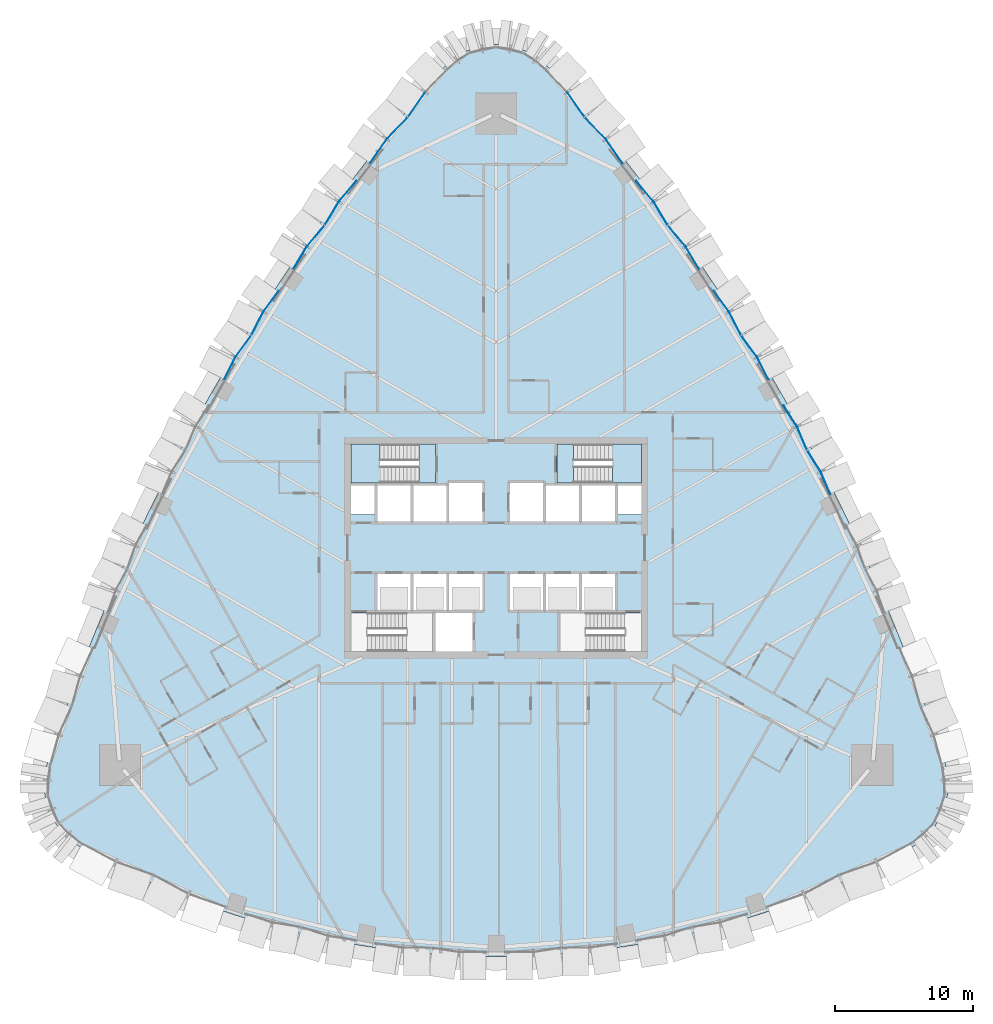
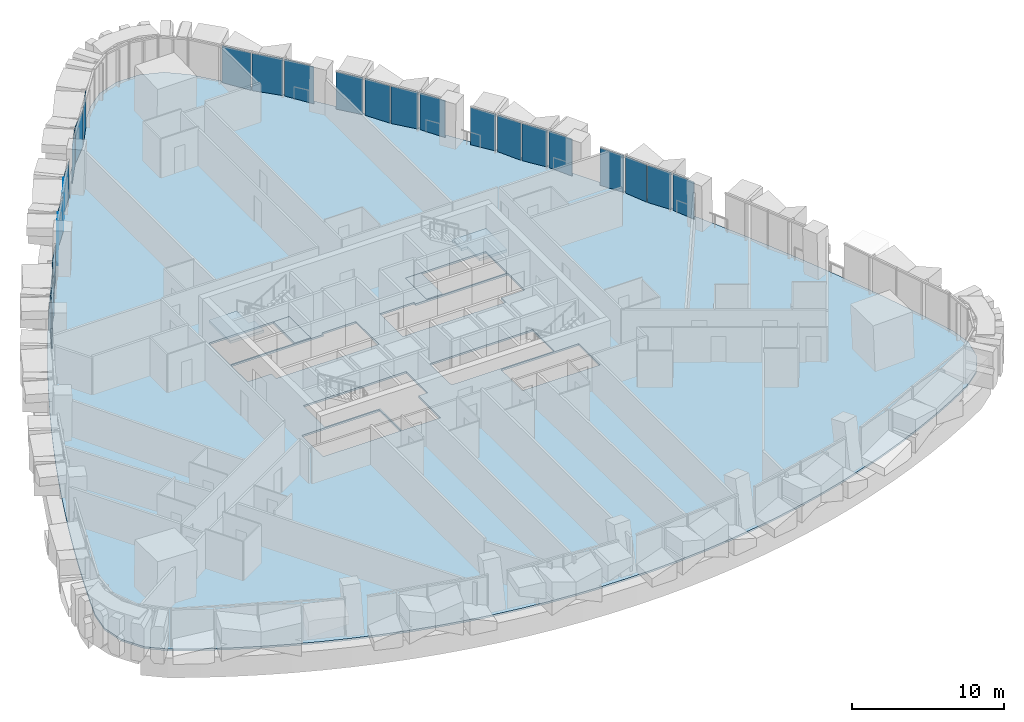
# One storey, part 12 of 27: 26 plates, 5 slabs, 9 elements without a shape of their own.
"""IFC4 building model written with IfcOpenShell, lengths in metres."""

from ifc_helpers import new_model, si_unit, direction, frame, origin, place, context, subcontext, project, spatial, polyline, outline, extrude, material, layer, layer_set, type_object, element, aggregate, save


model = new_model("IFC4")

# Units and contexts
model_context = context("Model", 3, precision=1e-05, world=origin(), true_north=direction((0.0, 1.0)))
body_context = subcontext(model_context, "Body", "Model", "MODEL_VIEW")
ifc_project = project(units=[si_unit("LENGTHUNIT", "METRE"), si_unit("AREAUNIT", "SQUARE_METRE"), si_unit("VOLUMEUNIT", "CUBIC_METRE"), si_unit("PLANEANGLEUNIT", "RADIAN"), si_unit("MASSUNIT", "GRAM", prefix="KILO")], contexts=[model_context])

# Site, building, storey
site_placement = place(None, origin())
site = spatial("IfcSite", under=ifc_project, at=site_placement, CompositionType="ELEMENT")
building_placement = place(site_placement, origin())
building = spatial("IfcBuilding", under=site, at=building_placement, Name="Sierra Prisma Convention Tower", CompositionType="ELEMENT")
storey_placement = place(building_placement, frame((0.0, 0.0, 48.0)))
storey = spatial("IfcBuildingStorey", under=building, at=storey_placement, Name="L07", CompositionType="ELEMENT", Elevation=48.0)

# Curtain wall, plates
ifc_material_1 = material(Name="Aluminium and glass curtain wall", Category="aluminium")
ifc_layer_1 = layer(ifc_material_1, 0.179931640625)
ifc_layer_set_1 = layer_set([ifc_layer_1], Name="CW-2 Faceted crystal curtain wall")
curtain_wall_type = type_object("IfcCurtainWallType", Name="CW-2 Faceted crystal curtain wall", PredefinedType="NOTDEFINED", material=ifc_layer_set_1)
curtain_wall_1_placement = place(storey_placement, origin())
curtain_wall_1 = element("IfcCurtainWall", 1, at=curtain_wall_1_placement, inside=storey, type_object=curtain_wall_type, Name="CW-2 NE3 L07", PredefinedType="NOTDEFINED")
ifc_material_2 = material(Name="Tinted glass bronze-grey IGU", Category="glass")
ifc_layer_2 = layer(ifc_material_2, 0.028076171875)
ifc_layer_set_2 = layer_set([ifc_layer_2], Name="CW-2 crystal pane")
plate_type = type_object("IfcPlateType", Name="CW-2 crystal pane", PredefinedType="CURTAIN_PANEL", material=ifc_layer_set_2)
plate_1_placement = place(storey_placement, frame((24.2080078125, 3.84521484375, 0.0), z_axis=(0.9188702886, 0.394559745447, 0.0), x_axis=(-0.394559745447, 0.9188702886, 0.0)))
plate_1 = element("IfcPlate", 2, at=plate_1_placement, type_object=plate_type, Name="CW-2 pane NE3.1.1", PredefinedType="CURTAIN_PANEL", context=body_context, shape_type="SweptSolid", body=[
    extrude(outline(polyline([(0.0, 0.0), (1.7480173119117628, 0.0), (1.7480173119117628, 2.97998046875), (0.0, 2.97998046875), (0.0, 0.0)])), origin(), (0.0, 0.0, -1.0), 0.028076171875),
])
plate_2_placement = place(storey_placement, frame((22.525390625, 7.044921875, 0.0), z_axis=(0.845833831015, 0.533446464335, 0.0), x_axis=(0.533446464335, -0.845833831015, 0.0)))
plate_2 = element("IfcPlate", 3, at=plate_2_placement, type_object=plate_type, Name="CW-2 pane NE3.1.2", PredefinedType="CURTAIN_PANEL", context=body_context, shape_type="SweptSolid", body=[
    extrude(outline(polyline([(0.0, 0.0), (1.7482863789584688, 0.0), (1.7482863789584688, -2.97998046875), (0.0, -2.97998046875), (0.0, 0.0)])), origin(), (0.0, 0.0, -1.0), 0.028076171875),
])
plate_3_placement = place(storey_placement, frame((22.492919921875, 7.10693359375, 0.0), z_axis=(0.9188702886, 0.394559745447, 0.0), x_axis=(-0.394559745447, 0.9188702886, 0.0)))
plate_3 = element("IfcPlate", 4, at=plate_3_placement, type_object=plate_type, Name="CW-2 pane NE3.2.1", PredefinedType="CURTAIN_PANEL", context=body_context, shape_type="SweptSolid", body=[
    extrude(outline(polyline([(0.0, 0.0), (1.7480173119117628, 0.0), (1.7480173119117628, 2.97998046875), (0.0, 2.97998046875), (0.0, 0.0)])), origin(), (0.0, 0.0, -1.0), 0.028076171875),
])
plate_4_placement = place(storey_placement, frame((20.810302734375, 10.306640625, 0.0), z_axis=(0.845833831015, 0.533446464335, 0.0), x_axis=(0.533446464335, -0.845833831015, 0.0)))
plate_4 = element("IfcPlate", 5, at=plate_4_placement, type_object=plate_type, Name="CW-2 pane NE3.2.2", PredefinedType="CURTAIN_PANEL", context=body_context, shape_type="SweptSolid", body=[
    extrude(outline(polyline([(0.0, 0.0), (1.7482863789584688, 0.0), (1.7482863789584688, -2.97998046875), (0.0, -2.97998046875), (0.0, 0.0)])), origin(), (0.0, 0.0, -1.0), 0.028076171875),
])
aggregate(curtain_wall_1, [plate_1, plate_2, plate_3, plate_4])

curtain_wall_2_placement = place(storey_placement, origin())
curtain_wall_2 = element("IfcCurtainWall", 6, at=curtain_wall_2_placement, inside=storey, type_object=curtain_wall_type, Name="CW-2 NE4 L07", PredefinedType="NOTDEFINED")
plate_5_placement = place(storey_placement, frame((19.741455078125, 12.12939453125, 0.0), z_axis=(0.890079099135, 0.455806096146, 0.0), x_axis=(-0.455806096146, 0.890079099135, 0.0)))
plate_5 = element("IfcPlate", 7, at=plate_5_placement, type_object=plate_type, Name="CW-2 pane NE4.1.1", PredefinedType="CURTAIN_PANEL", context=body_context, shape_type="SweptSolid", body=[
    extrude(outline(polyline([(0.0, 0.0), (1.825406147560032, 0.0), (1.825406147560032, 2.97998046875), (0.0, 2.97998046875), (0.0, 0.0)])), origin(), (0.0, 0.0, -1.0), 0.028076171875),
])
plate_6_placement = place(storey_placement, frame((17.765625, 15.339111328125, 0.0), z_axis=(0.807827092241, 0.58941953568, 0.0), x_axis=(0.58941953568, -0.807827092241, 0.0)))
plate_6 = element("IfcPlate", 8, at=plate_6_placement, type_object=plate_type, Name="CW-2 pane NE4.1.2", PredefinedType="CURTAIN_PANEL", context=body_context, shape_type="SweptSolid", body=[
    extrude(outline(polyline([(0.0, 0.0), (1.8254022292183198, 0.0), (1.8254022292183198, -2.97998046875), (0.0, -2.97998046875), (0.0, 0.0)])), origin(), (0.0, 0.0, -1.0), 0.028076171875),
])
plate_7_placement = place(storey_placement, frame((17.728759765625, 15.398681640625, 0.0), z_axis=(0.89013335732, 0.455700127481, 0.0), x_axis=(-0.455700127481, 0.89013335732, 0.0)))
plate_7 = element("IfcPlate", 9, at=plate_7_placement, type_object=plate_type, Name="CW-2 pane NE4.2.1", PredefinedType="CURTAIN_PANEL", context=body_context, shape_type="SweptSolid", body=[
    extrude(outline(polyline([(0.0, 0.0), (1.8252948797100739, 0.0), (1.8252948797100739, 2.97998046875), (0.0, 2.97998046875), (0.0, 0.0)])), origin(), (0.0, 0.0, -1.0), 0.028076171875),
])
plate_8_placement = place(storey_placement, frame((15.7529296875, 18.6083984375, 0.0), z_axis=(0.807827092241, 0.58941953568, 0.0), x_axis=(0.58941953568, -0.807827092241, 0.0)))
plate_8 = element("IfcPlate", 10, at=plate_8_placement, type_object=plate_type, Name="CW-2 pane NE4.2.2", PredefinedType="CURTAIN_PANEL", context=body_context, shape_type="SweptSolid", body=[
    extrude(outline(polyline([(0.0, 0.0), (1.8254022292183198, 0.0), (1.8254022292183198, -2.97998046875), (0.0, -2.97998046875), (0.0, 0.0)])), origin(), (0.0, 0.0, -1.0), 0.028076171875),
])
aggregate(curtain_wall_2, [plate_5, plate_6, plate_7, plate_8])

curtain_wall_3_placement = place(storey_placement, origin())
curtain_wall_3 = element("IfcCurtainWall", 11, at=curtain_wall_3_placement, inside=storey, type_object=curtain_wall_type, Name="CW-2 NE5 L07", PredefinedType="NOTDEFINED")
plate_9_placement = place(storey_placement, frame((14.72216796875, 20.132080078125, 0.0), z_axis=(0.857208448741, 0.514969586875, 0.0), x_axis=(-0.514969586875, 0.857208448741, 0.0)))
plate_9 = element("IfcPlate", 12, at=plate_9_placement, type_object=plate_type, Name="CW-2 pane NE5.1.1", PredefinedType="CURTAIN_PANEL", context=body_context, shape_type="SweptSolid", body=[
    extrude(outline(polyline([(0.0, 0.0), (1.8939794149649742, 0.0), (1.8939794149649742, 2.97998046875), (0.0, 2.97998046875), (0.0, 0.0)])), origin(), (0.0, 0.0, -1.0), 0.028076171875),
])
plate_10_placement = place(storey_placement, frame((12.454345703125, 23.312255859375, 0.0), z_axis=(0.766146503112, 0.64266595971, 0.0), x_axis=(0.64266595971, -0.766146503112, 0.0)))
plate_10 = element("IfcPlate", 13, at=plate_10_placement, type_object=plate_type, Name="CW-2 pane NE5.1.2", PredefinedType="CURTAIN_PANEL", context=body_context, shape_type="SweptSolid", body=[
    extrude(outline(polyline([(0.0, 0.0), (1.894117990627195, 0.0), (1.894117990627195, -2.97998046875), (0.0, -2.97998046875), (0.0, 0.0)])), origin(), (0.0, 0.0, -1.0), 0.028076171875),
])
plate_11_placement = place(storey_placement, frame((12.41357421875, 23.369140625, 0.0), z_axis=(0.857208448741, 0.514969586875, 0.0), x_axis=(-0.514969586875, 0.857208448741, 0.0)))
plate_11 = element("IfcPlate", 14, at=plate_11_placement, type_object=plate_type, Name="CW-2 pane NE5.2.1", PredefinedType="CURTAIN_PANEL", context=body_context, shape_type="SweptSolid", body=[
    extrude(outline(polyline([(0.0, 0.0), (1.8939794149649742, 0.0), (1.8939794149649742, 2.97998046875), (0.0, 2.97998046875), (0.0, 0.0)])), origin(), (0.0, 0.0, -1.0), 0.028076171875),
])
plate_12_placement = place(storey_placement, frame((10.145751953125, 26.54931640625, 0.0), z_axis=(0.766146503112, 0.64266595971, 0.0), x_axis=(0.64266595971, -0.766146503112, 0.0)))
plate_12 = element("IfcPlate", 15, at=plate_12_placement, type_object=plate_type, Name="CW-2 pane NE5.2.2", PredefinedType="CURTAIN_PANEL", context=body_context, shape_type="SweptSolid", body=[
    extrude(outline(polyline([(0.0, 0.0), (1.894117990627195, 0.0), (1.894117990627195, -2.97998046875), (0.0, -2.97998046875), (0.0, 0.0)])), origin(), (0.0, 0.0, -1.0), 0.028076171875),
])
aggregate(curtain_wall_3, [plate_9, plate_10, plate_11, plate_12])

curtain_wall_4_placement = place(storey_placement, origin())
curtain_wall_4 = element("IfcCurtainWall", 16, at=curtain_wall_4_placement, inside=storey, type_object=curtain_wall_type, Name="CW-2 NE6 L07", PredefinedType="NOTDEFINED")
plate_13_placement = place(storey_placement, frame((9.183349609375, 27.793701171875, 0.0), z_axis=(0.82039816677, 0.571792661688, 0.0), x_axis=(-0.571792661688, 0.82039816677, 0.0)))
plate_13 = element("IfcPlate", 17, at=plate_13_placement, type_object=plate_type, Name="CW-2 pane NE6.1.1", PredefinedType="CURTAIN_PANEL", context=body_context, shape_type="SweptSolid", body=[
    extrude(outline(polyline([(0.0, 0.0), (2.1113866467971363, 0.0), (2.1113866467971363, 2.97998046875), (0.0, 2.97998046875), (0.0, 0.0)])), origin(), (0.0, 0.0, -1.0), 0.028076171875),
])
plate_14_placement = place(storey_placement, frame((6.4306640625, 31.148193359375, 0.0), z_axis=(0.720901936744, 0.693037082413, 0.0), x_axis=(0.693037082413, -0.720901936744, 0.0)))
plate_14 = element("IfcPlate", 18, at=plate_14_placement, type_object=plate_type, Name="CW-2 pane NE6.1.2", PredefinedType="CURTAIN_PANEL", context=body_context, shape_type="SweptSolid", body=[
    extrude(outline(polyline([(0.0, 0.0), (2.1115448846628464, 0.0), (2.1115448846628464, -2.97998046875), (0.0, -2.97998046875), (0.0, 0.0)])), origin(), (0.0, 0.0, -1.0), 0.028076171875),
])
plate_15_placement = place(storey_placement, frame((6.38623046875, 31.2021484375, 0.0), z_axis=(0.820452408645, 0.571714828519, 0.0), x_axis=(-0.571714828519, 0.820452408645, 0.0)))
plate_15 = element("IfcPlate", 19, at=plate_15_placement, type_object=plate_type, Name="CW-2 pane NE6.2.1", PredefinedType="CURTAIN_PANEL", context=body_context, shape_type="SweptSolid", body=[
    extrude(outline(polyline([(0.0, 0.0), (2.1112470584801466, 0.0), (2.1112470584801466, 2.9799804687500004), (0.0, 2.9799804687500004), (0.0, 0.0)])), origin(), (0.0, 0.0, -1.0), 0.028076171875),
])
aggregate(curtain_wall_4, [plate_13, plate_14, plate_15])

curtain_wall_5_placement = place(storey_placement, origin())
curtain_wall_5 = element("IfcCurtainWall", 20, at=curtain_wall_5_placement, inside=storey, type_object=curtain_wall_type, Name="CW-2 NW1 L07", PredefinedType="NOTDEFINED")
plate_16_placement = place(storey_placement, frame((-6.381103515625, 31.20849609375, 0.0), z_axis=(-0.820411342333, 0.571773757155, 0.0), x_axis=(0.571773757155, 0.820411342333, 0.0)))
plate_16 = element("IfcPlate", 21, at=plate_16_placement, type_object=plate_type, Name="CW-2 pane NW1.1.2", PredefinedType="CURTAIN_PANEL", context=body_context, shape_type="SweptSolid", body=[
    extrude(outline(polyline([(0.0, 0.0), (2.107186573882043, 0.0), (2.107186573882043, -2.97998046875), (0.0, -2.97998046875), (0.0, 0.0)])), origin(), (0.0, 0.0, -1.0), 0.028076171875),
])
plate_17_placement = place(storey_placement, frame((-6.425537109375, 31.154296875, 0.0), z_axis=(-0.720873137822, 0.693067038003, 0.0), x_axis=(-0.693067038003, -0.720873137822, 0.0)))
plate_17 = element("IfcPlate", 22, at=plate_17_placement, type_object=plate_type, Name="CW-2 pane NW1.2.1", PredefinedType="CURTAIN_PANEL", context=body_context, shape_type="SweptSolid", body=[
    extrude(outline(polyline([(0.0, 0.0), (2.107226485562551, 0.0), (2.107226485562551, 2.97998046875), (0.0, 2.97998046875), (0.0, 0.0)])), origin(), (0.0, 0.0, -1.0), 0.028076171875),
])
plate_18_placement = place(storey_placement, frame((-9.1728515625, 27.806396484375, 0.0), z_axis=(-0.820465691399, 0.571695766327, 0.0), x_axis=(0.571695766327, 0.820465691399, 0.0)))
plate_18 = element("IfcPlate", 23, at=plate_18_placement, type_object=plate_type, Name="CW-2 pane NW1.2.2", PredefinedType="CURTAIN_PANEL", context=body_context, shape_type="SweptSolid", body=[
    extrude(outline(polyline([(0.0, 0.0), (2.1070469901996622, 0.0), (2.1070469901996622, -2.97998046875), (0.0, -2.97998046875), (0.0, 0.0)])), origin(), (0.0, 0.0, -1.0), 0.028076171875),
])
aggregate(curtain_wall_5, [plate_16, plate_17, plate_18])

curtain_wall_6_placement = place(storey_placement, origin())
curtain_wall_6 = element("IfcCurtainWall", 24, at=curtain_wall_6_placement, inside=storey, type_object=curtain_wall_type, Name="CW-2 NW2 L07", PredefinedType="NOTDEFINED")
plate_19_placement = place(storey_placement, frame((-10.145751953125, 26.54931640625, 0.0), z_axis=(-0.766119695886, 0.642697916269, 0.0), x_axis=(-0.642697916269, -0.766119695886, 0.0)))
plate_19 = element("IfcPlate", 25, at=plate_19_placement, type_object=plate_type, Name="CW-2 pane NW2.1.1", PredefinedType="CURTAIN_PANEL", context=body_context, shape_type="SweptSolid", body=[
    extrude(outline(polyline([(0.0, 0.0), (1.8890855211948696, 0.0), (1.8890855211948696, 2.97998046875), (0.0, 2.97998046875), (0.0, 0.0)])), origin(), (0.0, 0.0, -1.0), 0.028076171875),
])
plate_20_placement = place(storey_placement, frame((-12.407958984375, 23.377197265625, 0.0), z_axis=(-0.857196309777, 0.514989792622, 0.0), x_axis=(0.514989792622, 0.857196309777, 0.0)))
plate_20 = element("IfcPlate", 26, at=plate_20_placement, type_object=plate_type, Name="CW-2 pane NW2.1.2", PredefinedType="CURTAIN_PANEL", context=body_context, shape_type="SweptSolid", body=[
    extrude(outline(polyline([(0.0, 0.0), (1.8891644156125253, 0.0), (1.8891644156125253, -2.97998046875), (0.0, -2.97998046875), (0.0, 0.0)])), origin(), (0.0, 0.0, -1.0), 0.028076171875),
])
plate_21_placement = place(storey_placement, frame((-12.448486328125, 23.3203125, 0.0), z_axis=(-0.766119695886, 0.642697916269, 0.0), x_axis=(-0.642697916269, -0.766119695886, 0.0)))
plate_21 = element("IfcPlate", 27, at=plate_21_placement, type_object=plate_type, Name="CW-2 pane NW2.2.1", PredefinedType="CURTAIN_PANEL", context=body_context, shape_type="SweptSolid", body=[
    extrude(outline(polyline([(0.0, 0.0), (1.8890855211948696, 0.0), (1.8890855211948696, 2.97998046875), (0.0, 2.97998046875), (0.0, 0.0)])), origin(), (0.0, 0.0, -1.0), 0.028076171875),
])
plate_22_placement = place(storey_placement, frame((-14.710693359375, 20.148193359375, 0.0), z_axis=(-0.857196309777, 0.514989792622, 0.0), x_axis=(0.514989792622, 0.857196309777, 0.0)))
plate_22 = element("IfcPlate", 28, at=plate_22_placement, type_object=plate_type, Name="CW-2 pane NW2.2.2", PredefinedType="CURTAIN_PANEL", context=body_context, shape_type="SweptSolid", body=[
    extrude(outline(polyline([(0.0, 0.0), (1.8891644156125253, 0.0), (1.8891644156125253, -2.97998046875), (0.0, -2.97998046875), (0.0, 0.0)])), origin(), (0.0, 0.0, -1.0), 0.028076171875),
])
aggregate(curtain_wall_6, [plate_19, plate_20, plate_21, plate_22])

curtain_wall_7_placement = place(storey_placement, origin())
curtain_wall_7 = element("IfcCurtainWall", 29, at=curtain_wall_7_placement, inside=storey, type_object=curtain_wall_type, Name="CW-2 NW3 L07", PredefinedType="NOTDEFINED")
plate_23_placement = place(storey_placement, frame((-15.7529296875, 18.6083984375, 0.0), z_axis=(-0.807813374913, 0.589438335462, 0.0), x_axis=(-0.589438335462, -0.807813374913, 0.0)))
plate_23 = element("IfcPlate", 30, at=plate_23_placement, type_object=plate_type, Name="CW-2 pane NW3.1.1", PredefinedType="CURTAIN_PANEL", context=body_context, shape_type="SweptSolid", body=[
    extrude(outline(polyline([(0.0, 0.0), (1.8212020894165337, 0.0), (1.8212020894165337, 2.97998046875), (0.0, 2.97998046875), (0.0, 0.0)])), origin(), (0.0, 0.0, -1.0), 0.028076171875),
])
plate_24_placement = place(storey_placement, frame((-17.724609375, 15.40576171875, 0.0), z_axis=(-0.890096423183, 0.455772264883, 0.0), x_axis=(0.455772264883, 0.890096423183, 0.0)))
plate_24 = element("IfcPlate", 31, at=plate_24_placement, type_object=plate_type, Name="CW-2 pane NW3.1.2", PredefinedType="CURTAIN_PANEL", context=body_context, shape_type="SweptSolid", body=[
    extrude(outline(polyline([(0.0, 0.0), (1.8212563355806284, 0.0), (1.8212563355806284, -2.97998046875), (0.0, -2.97998046875), (0.0, 0.0)])), origin(), (0.0, 0.0, -1.0), 0.028076171875),
])
plate_25_placement = place(storey_placement, frame((-17.76123046875, 15.34619140625, 0.0), z_axis=(-0.807859942971, 0.589374509581, 0.0), x_axis=(-0.589374509581, -0.807859942971, 0.0)))
plate_25 = element("IfcPlate", 32, at=plate_25_placement, type_object=plate_type, Name="CW-2 pane NW3.2.1", PredefinedType="CURTAIN_PANEL", context=body_context, shape_type="SweptSolid", body=[
    extrude(outline(polyline([(0.0, 0.0), (1.8213993151636536, 0.0), (1.8213993151636536, 2.97998046875), (0.0, 2.97998046875), (0.0, 0.0)])), origin(), (0.0, 0.0, -1.0), 0.028076171875),
])
plate_26_placement = place(storey_placement, frame((-19.73291015625, 12.143310546875, 0.0), z_axis=(-0.890096423183, 0.455772264883, 0.0), x_axis=(0.455772264883, 0.890096423183, 0.0)))
plate_26 = element("IfcPlate", 33, at=plate_26_placement, type_object=plate_type, Name="CW-2 pane NW3.2.2", PredefinedType="CURTAIN_PANEL", context=body_context, shape_type="SweptSolid", body=[
    extrude(outline(polyline([(0.0, 0.0), (1.8212563355806284, 0.0), (1.8212563355806284, -2.97998046875), (0.0, -2.97998046875), (0.0, 0.0)])), origin(), (0.0, 0.0, -1.0), 0.028076171875),
])
aggregate(curtain_wall_7, [plate_23, plate_24, plate_25, plate_26])

# Slab
ifc_material_3 = material(Name="Concrete C35/45", Category="concrete")
ifc_layer_3 = layer(ifc_material_3, 0.14990234375)
ifc_layer_set_3 = layer_set([ifc_layer_3], Name="Composite floor slab 150")
slab_type_1 = type_object("IfcSlabType", Name="Composite floor slab 150", PredefinedType="FLOOR", material=ifc_layer_set_3)
slab_1_placement = place(storey_placement, frame((0.0, 0.0, -0.14990234375)))
element("IfcSlab", 34, at=slab_1_placement, inside=storey, type_object=slab_type_1, Name="Floor slab L07 floor", PredefinedType="FLOOR", context=body_context, shape_type="SweptSolid", body=[
    extrude(outline(polyline([(-30.2197265625, -21.586181640625), (-28.48681640625, -22.5341796875), (-26.72412109375, -23.426025390625), (-24.93359375, -24.26025390625), (-23.116943359375, -25.036376953125), (-21.2763671875, -25.75341796875), (-19.413330078125, -26.41064453125), (-17.5302734375, -27.00732421875), (-15.62890625, -27.54296875), (-13.7109375, -28.016845703125), (-11.779052734375, -28.428466796875), (-9.834716796875, -28.777587890625), (-7.880126953125, -29.063720703125), (-5.917236328125, -29.28662109375), (-3.9482421875, -29.44580078125), (-1.97509765625, -29.54150390625), (0.0, -29.573486328125), (1.97509765625, -29.54150390625), (3.9482421875, -29.44580078125), (5.917236328125, -29.28662109375), (7.880126953125, -29.063720703125), (9.834716796875, -28.777587890625), (11.779052734375, -28.428466796875), (13.7109375, -28.016845703125), (15.62890625, -27.54296875), (17.5302734375, -27.00732421875), (19.413330078125, -26.41064453125), (21.2763671875, -25.75341796875), (23.116943359375, -25.036376953125), (24.93359375, -24.26025390625), (26.72412109375, -23.426025390625), (28.48681640625, -22.5341796875), (30.2197265625, -21.586181640625), (31.54296875, -20.498779296875), (32.42431640625, -19.030517578125), (32.761962890625, -17.3515625), (32.5166015625, -15.65673828125), (31.900634765625, -13.808349609375), (31.259521484375, -11.96875), (30.59375, -10.1376953125), (29.9033203125, -8.31591796875), (29.188232421875, -6.503662109375), (28.44873046875, -4.701416015625), (27.684814453125, -2.9091796875), (26.896728515625, -1.12744140625), (26.084716796875, 0.6435546875), (25.248779296875, 2.4033203125), (24.388916015625, 4.151611328125), (23.505615234375, 5.887939453125), (22.598876953125, 7.6123046875), (21.668701171875, 9.32421875), (20.715576171875, 11.0234375), (19.73974609375, 12.70947265625), (18.740966796875, 14.38232421875), (17.7197265625, 16.041259765625), (16.676025390625, 17.686279296875), (15.610107421875, 19.317138671875), (14.522216796875, 20.933349609375), (13.41259765625, 22.534912109375), (12.281494140625, 24.12109375), (11.12890625, 25.691650390625), (9.955322265625, 27.246826171875), (8.7607421875, 28.78564453125), (7.54541015625, 30.308349609375), (6.3095703125, 31.814453125), (5.05322265625, 33.3037109375), (3.777099609375, 34.775634765625), (2.454345703125, 35.84521484375), (0.8505859375, 36.412353515625), (-0.8505859375, 36.412353515625), (-2.454345703125, 35.84521484375), (-3.777099609375, 34.775634765625), (-5.05322265625, 33.3037109375), (-6.3095703125, 31.814453125), (-7.54541015625, 30.308349609375), (-8.7607421875, 28.78564453125), (-9.955322265625, 27.246826171875), (-11.12890625, 25.691650390625), (-12.281494140625, 24.12109375), (-13.41259765625, 22.534912109375), (-14.522216796875, 20.933349609375), (-15.610107421875, 19.317138671875), (-16.676025390625, 17.686279296875), (-17.7197265625, 16.041259765625), (-18.740966796875, 14.38232421875), (-19.73974609375, 12.70947265625), (-20.715576171875, 11.0234375), (-21.668701171875, 9.32421875), (-22.598876953125, 7.6123046875), (-23.505615234375, 5.887939453125), (-24.388916015625, 4.151611328125), (-25.248779296875, 2.4033203125), (-26.084716796875, 0.6435546875), (-26.896728515625, -1.12744140625), (-27.684814453125, -2.9091796875), (-28.44873046875, -4.701416015625), (-29.188232421875, -6.503662109375), (-29.9033203125, -8.31591796875), (-30.59375, -10.1376953125), (-31.259521484375, -11.96875), (-31.900634765625, -13.808349609375), (-32.5166015625, -15.65673828125), (-32.761962890625, -17.3515625), (-32.42431640625, -19.030517578125), (-31.54296875, -20.498779296875), (-30.2197265625, -21.586181640625)]), holes=[polyline([(-4.60009765625, -7.5), (-10.5, -7.5), (-10.5, -4.699951171875), (-4.60009765625, -4.699951171875), (-4.60009765625, -7.5)]), polyline([(-8.699951171875, -4.60009765625), (-8.699951171875, -1.800048828125), (-6.10009765625, -1.800048828125), (-3.5, -1.800048828125), (-0.89990234375, -1.800048828125), (-0.89990234375, -4.60009765625), (-1.60009765625, -4.60009765625), (-1.60009765625, -7.5), (-4.5, -7.5), (-4.5, -4.60009765625), (-6.10009765625, -4.60009765625), (-8.699951171875, -4.60009765625)]), polyline([(-10.5, 4.60009765625), (-8.699951171875, 4.60009765625), (-6.10009765625, 4.60009765625), (-3.5, 4.60009765625), (-3.5, 4.800048828125), (-0.89990234375, 4.800048828125), (-0.89990234375, 1.800048828125), (-3.5, 1.800048828125), (-6.10009765625, 1.800048828125), (-8.699951171875, 1.800048828125), (-8.699951171875, 2.39990234375), (-10.5, 2.39990234375), (-10.5, 4.60009765625)]), polyline([(-4.39990234375, 4.699951171875), (-10.5, 4.699951171875), (-10.5, 7.5), (-4.39990234375, 7.5), (-4.39990234375, 4.699951171875)]), polyline([(10.5, -7.5), (4.60009765625, -7.5), (4.60009765625, -4.699951171875), (10.5, -4.699951171875), (10.5, -7.5)]), polyline([(6.10009765625, -1.800048828125), (8.699951171875, -1.800048828125), (8.699951171875, -4.60009765625), (6.10009765625, -4.60009765625), (3.5, -4.60009765625), (0.89990234375, -4.60009765625), (0.89990234375, -1.800048828125), (3.5, -1.800048828125), (6.10009765625, -1.800048828125)]), polyline([(10.5, 4.60009765625), (10.5, 2.39990234375), (8.699951171875, 2.39990234375), (8.699951171875, 1.800048828125), (6.10009765625, 1.800048828125), (3.5, 1.800048828125), (0.89990234375, 1.800048828125), (0.89990234375, 4.800048828125), (3.5, 4.800048828125), (3.5, 4.60009765625), (6.10009765625, 4.60009765625), (8.699951171875, 4.60009765625), (10.5, 4.60009765625)]), polyline([(4.39990234375, 4.699951171875), (4.39990234375, 7.5), (10.5, 7.5), (10.5, 4.699951171875), (4.39990234375, 4.699951171875)])]), origin(), (0.0, 0.0, 1.0), 0.14990234375),
])

# Stair, slab
ifc_material_4 = material(Name="Concrete C30/37", Category="concrete")
stair_type = type_object("IfcStairType", Name="Stair dog-leg 1200 RC", PredefinedType="HALF_TURN_STAIR", material=ifc_material_4)
stair_1_placement = place(storey_placement, origin())
stair_1 = element("IfcStair", 35, at=stair_1_placement, inside=storey, type_object=stair_type, Name="L07 S3", PredefinedType="HALF_TURN_STAIR")
ifc_material_5 = material(Name="Concrete C35/45", Category="concrete")
ifc_layer_4 = layer(ifc_material_5, 0.199951171875)
ifc_layer_set_4 = layer_set([ifc_layer_4], Name="Stair landing slab")
slab_type_2 = type_object("IfcSlabType", Name="Stair landing slab", PredefinedType="LANDING", material=ifc_layer_set_4)
slab_2_placement = place(storey_placement, frame((0.0, 0.0, 1.64990234375)))
slab_2 = element("IfcSlab", 36, at=slab_2_placement, type_object=slab_type_2, Name="S3 landing 1", PredefinedType="LANDING", context=body_context, shape_type="SweptSolid", body=[
    extrude(outline(polyline([(-7.949951171875, 5.89990234375), (-7.949951171875, 4.699951171875), (-10.5, 4.699951171875), (-10.5, 7.5), (-8.39794921875, 7.5), (-8.39794921875, 5.89990234375), (-7.949951171875, 5.89990234375)])), origin(), (0.0, 0.0, 1.0), 0.2001953125),
])
aggregate(stair_1, [slab_2])

# Slab
slab_3_placement = place(storey_placement, frame((0.0, 0.0, -0.199951171875)))
element("IfcSlab", 37, at=slab_3_placement, inside=storey, type_object=slab_type_2, Name="S3 floor landing L07", PredefinedType="LANDING", context=body_context, shape_type="SweptSolid", body=[
    extrude(outline(polyline([(-4.39990234375, 7.5), (-5.60205078125, 7.5), (-5.60205078125, 4.699951171875), (-4.39990234375, 4.699951171875), (-4.39990234375, 7.5)])), origin(), (0.0, 0.0, 1.0), 0.199951171875),
])

# Stair, slab
stair_2_placement = place(storey_placement, origin())
stair_2 = element("IfcStair", 38, at=stair_2_placement, inside=storey, type_object=stair_type, Name="L07 S4", PredefinedType="HALF_TURN_STAIR")
slab_4_placement = place(storey_placement, frame((0.0, 0.0, 1.64990234375)))
slab_4 = element("IfcSlab", 39, at=slab_4_placement, type_object=slab_type_2, Name="S4 landing 1", PredefinedType="LANDING", context=body_context, shape_type="SweptSolid", body=[
    extrude(outline(polyline([(10.5, 7.5), (10.5, 4.699951171875), (8.39794921875, 4.699951171875), (8.39794921875, 6.300048828125), (7.949951171875, 6.300048828125), (7.949951171875, 7.5), (10.5, 7.5)])), origin(), (0.0, 0.0, 1.0), 0.2001953125),
])
aggregate(stair_2, [slab_4])

# Slab
slab_5_placement = place(storey_placement, frame((0.0, 0.0, -0.199951171875)))
element("IfcSlab", 40, at=slab_5_placement, inside=storey, type_object=slab_type_2, Name="S4 floor landing L07", PredefinedType="LANDING", context=body_context, shape_type="SweptSolid", body=[
    extrude(outline(polyline([(4.39990234375, 4.699951171875), (5.60205078125, 4.699951171875), (5.60205078125, 7.5), (4.39990234375, 7.5), (4.39990234375, 4.699951171875)])), origin(), (0.0, 0.0, 1.0), 0.199951171875),
])

save(model, "model.ifc")
